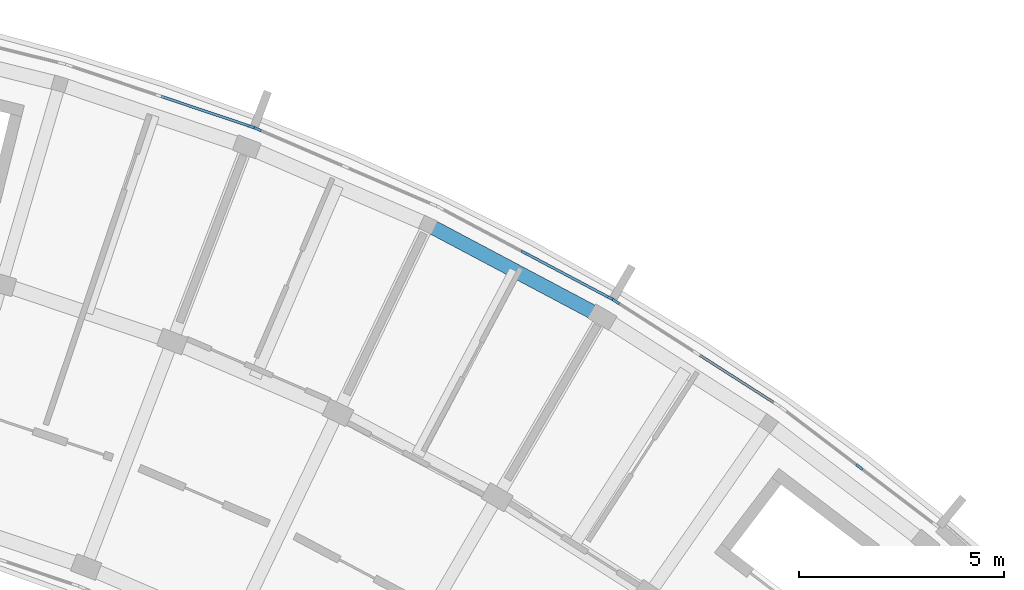
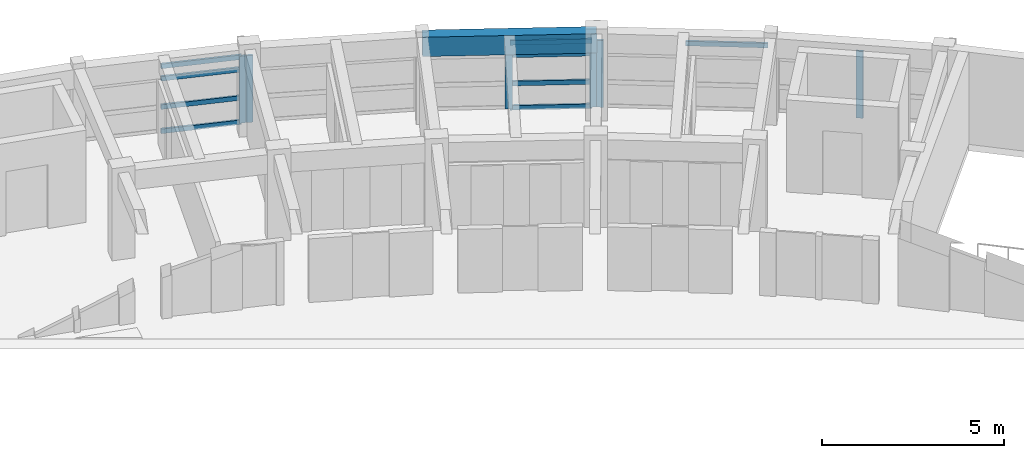
# One storey, part 9 of 23: 15 members, 1 beam, 5 elements without a shape of their own.
"""IFC4 building model written with IfcOpenShell, lengths in metres."""

import ifcopenshell
import ifcopenshell.guid

model = None  # the IFC model being written
_history = None  # IfcOwnerHistory: only IFC2X3 demands one
_inside = {}  # id of a spatial element -> (the spatial element, [elements in it])
_under = {}  # id of a project, library or spatial element -> (it, [spatial elements below it])
_declared = {}  # id of a project -> (the project, [libraries it declares])
_typed = {}  # id of a type object -> (the type object, [elements of that type])
_made_of = {}  # id of a material, layer set ... -> (it, [elements and type objects made of it])


def new_model(schema):
    """Start an empty IFC model of exactly this schema.

    Asked for "IFC4X3", IfcOpenShell would pick the latest addendum, in which some entities
    have other attributes; the version numbers below select the first issue.
    IFC2X3 requires an IfcOwnerHistory on every rooted entity: one is made here for all.
    """
    global model, _history
    if schema == "IFC4X3":
        model = ifcopenshell.file(schema_version=(4, 3, 0, 0))
    else:
        model = ifcopenshell.file(schema=schema)
    _inside.clear()
    _under.clear()
    _declared.clear()
    _typed.clear()
    _made_of.clear()
    _history = None
    if model.schema == "IFC2X3":
        org = make("IfcOrganization", Name="unknown")
        user = make(
            "IfcPersonAndOrganization",
            ThePerson=make("IfcPerson", FamilyName="unknown"),
            TheOrganization=org,
        )
        app = make(
            "IfcApplication",
            ApplicationDeveloper=org,
            Version="unknown",
            ApplicationFullName="unknown",
            ApplicationIdentifier="unknown",
        )
        _history = make(
            "IfcOwnerHistory",
            OwningUser=user,
            OwningApplication=app,
            ChangeAction="ADDED",
            CreationDate=0,
        )
    return model


def make(cls, **values):
    """One entity of the class cls with the attributes given. An attribute that is None is left unset."""
    return model.create_entity(
        cls, **{name: value for name, value in values.items() if value is not None}
    )


def rooted(cls, **values):
    """An entity with a GlobalId (a new one), such as an element, a storey or a relation."""
    return make(cls, GlobalId=ifcopenshell.guid.new(), OwnerHistory=_history, **values)


def si_unit(unit_type, name, prefix=None):
    """IfcSIUnit, for example si_unit("LENGTHUNIT", "METRE", prefix="MILLI")."""
    return make("IfcSIUnit", UnitType=unit_type, Prefix=prefix, Name=name)


def assignment(units):
    """IfcUnitAssignment: the units of a project."""
    return None if units is None else make("IfcUnitAssignment", Units=units)


def point(xyz):
    """IfcCartesianPoint."""
    return None if xyz is None else make("IfcCartesianPoint", Coordinates=xyz)


def direction(xyz):
    """IfcDirection."""
    return None if xyz is None else make("IfcDirection", DirectionRatios=xyz)


def frame(location, z_axis=None, x_axis=None):
    """IfcAxis2Placement3D, a coordinate frame: its origin and axes. An axis left out is left unset."""
    return make(
        "IfcAxis2Placement3D",
        Location=point(location),
        Axis=direction(z_axis),
        RefDirection=direction(x_axis),
    )


def frame_2d(location, x_axis=None):
    """IfcAxis2Placement2D, a coordinate frame in the plane: its origin and x axis."""
    return make(
        "IfcAxis2Placement2D", Location=point(location), RefDirection=direction(x_axis)
    )


def origin():
    """The frame at (0, 0, 0) with its axes left unset."""
    return frame((0.0, 0.0, 0.0))


def origin_2d():
    """The frame at (0, 0) in the plane with its x axis left unset."""
    return frame_2d((0.0, 0.0))


def place(relative_to, where):
    """IfcLocalPlacement: puts the frame where relative to a parent placement (None: the world)."""
    return make(
        "IfcLocalPlacement", PlacementRelTo=relative_to, RelativePlacement=where
    )


def context(
    kind, dimensions, precision=None, world=None, true_north=None, identifier=None
):
    """IfcGeometricRepresentationContext, for example the 3D "Model" context."""
    return make(
        "IfcGeometricRepresentationContext",
        ContextIdentifier=identifier,
        ContextType=kind,
        CoordinateSpaceDimension=dimensions,
        Precision=precision,
        WorldCoordinateSystem=world,
        TrueNorth=true_north,
    )


def subcontext(parent, identifier, kind, view, scale=None):
    """IfcGeometricRepresentationSubContext, for example "Body" below "Model"."""
    return make(
        "IfcGeometricRepresentationSubContext",
        ContextIdentifier=identifier,
        ContextType=kind,
        ParentContext=parent,
        TargetScale=scale,
        TargetView=view,
    )


def project(units=None, contexts=None):
    """IfcProject with its units and contexts."""
    return rooted(
        "IfcProject",
        Name="project",
        RepresentationContexts=contexts,
        UnitsInContext=assignment(units),
    )


def spatial(cls, under=None, at=None, **own):
    """A site, building, storey or space (cls), placed at a placement, below another one or the project."""
    s = rooted(cls, ObjectPlacement=at, **own)
    if under is not None:
        _under.setdefault(under.id(), (under, []))[1].append(s)
    return s


def profile(cls, at=None, kind="AREA", **sizes):
    """A parametric profile (cls). Its sizes go by their IFC names, for example OverallWidth=200.0."""
    return make(cls, ProfileType=kind, Position=at, **sizes)


def rectangle(**sizes):
    """IfcRectangleProfileDef."""
    return profile("IfcRectangleProfileDef", **sizes)


def extrude(swept, where, along, depth):
    """IfcExtrudedAreaSolid: the profile swept, set in the frame where, extruded along a direction by depth."""
    return make(
        "IfcExtrudedAreaSolid",
        SweptArea=swept,
        Position=where,
        ExtrudedDirection=direction(along),
        Depth=depth,
    )


def shape(context_of_items, identifier, shape_type, items):
    """IfcShapeRepresentation: the items that make up one representation, for example the "Body"."""
    return make(
        "IfcShapeRepresentation",
        ContextOfItems=context_of_items,
        RepresentationIdentifier=identifier,
        RepresentationType=shape_type,
        Items=items,
    )


def material(Name=None, Category=None):
    """IfcMaterial."""
    return make("IfcMaterial", Name=Name, Category=Category)


def material_profile(
    of_material, cross_section, Name=None, Category=None, Priority=None
):
    """IfcMaterialProfile: a cross section and its material."""
    return make(
        "IfcMaterialProfile",
        Name=Name,
        Material=of_material,
        Profile=cross_section,
        Priority=Priority,
        Category=Category,
    )


def profile_set(profiles, Name=None, composite=None):
    """IfcMaterialProfileSet."""
    return make(
        "IfcMaterialProfileSet",
        Name=Name,
        MaterialProfiles=profiles,
        CompositeProfile=composite,
    )


def made_of(thing, what):
    """Note that an element or type object is made of a material, layer set ...; save() writes the relation."""
    if what is not None:
        _made_of.setdefault(what.id(), (what, []))[1].append(thing)
    return thing


def type_object(cls, material=None, **own):
    """A type object (cls), such as IfcWallType, which elements share."""
    return made_of(rooted(cls, **own), material)


def element(
    cls,
    number,
    at=None,
    inside=None,
    cuts=None,
    type_object=None,
    material=None,
    context=None,
    identifier="Body",
    shape_type=None,
    held_by="IfcProductDefinitionShape",
    body=None,
    shapes=None,
    **own,
):
    """One element of the class cls, such as IfcWall. Its Tag is "e" and its number.

    at: its placement. inside: the storey or other place that contains it. cuts: it is an
    opening in that element (IfcRelVoidsElement). A single representation is given by context,
    identifier, shape_type and body (its items); several are given by shapes. held_by: the class
    of the entity that holds the representations. save() writes the other relations.
    """
    e = rooted(cls, Tag="e%d" % number, ObjectPlacement=at, **own)
    if body is not None:
        shapes = [shape(context, identifier, shape_type, body)]
    if shapes is not None:
        e.Representation = make(held_by, Representations=shapes)
    if inside is not None:
        _inside.setdefault(inside.id(), (inside, []))[1].append(e)
    if cuts is not None:
        rooted(
            "IfcRelVoidsElement", RelatingBuildingElement=cuts, RelatedOpeningElement=e
        )
    if type_object is not None:
        _typed.setdefault(type_object.id(), (type_object, []))[1].append(e)
    return made_of(e, material)


def aggregate(whole, parts):
    """IfcRelAggregates: a whole, such as a stair, and the parts it consists of."""
    return rooted("IfcRelAggregates", RelatingObject=whole, RelatedObjects=parts)


def save(model, path):
    """Write the relations noted so far, then the file.

    IfcRelAggregates (storeys below a building ...), IfcRelContainedInSpatialStructure (elements
    in a storey), IfcRelDefinesByType, IfcRelAssociatesMaterial and IfcRelDeclares: one each for
    every whole, place, type object, material and project.
    """
    for whole, parts in _under.values():
        aggregate(whole, parts)
    for where, things in _inside.values():
        rooted(
            "IfcRelContainedInSpatialStructure",
            RelatedElements=things,
            RelatingStructure=where,
        )
    for kind, things in _typed.values():
        rooted("IfcRelDefinesByType", RelatedObjects=things, RelatingType=kind)
    for what, things in _made_of.values():
        rooted("IfcRelAssociatesMaterial", RelatedObjects=things, RelatingMaterial=what)
    for by, libraries in _declared.values():
        rooted("IfcRelDeclares", RelatingContext=by, RelatedDefinitions=libraries)
    model.write(path)


model = new_model("IFC4")

# Units and contexts
model_context = context("Model", 3, precision=1e-05, world=origin(), true_north=direction((0.0, 1.0)))
body_context = subcontext(model_context, "Body", "Model", "MODEL_VIEW")
ifc_project = project(units=[si_unit("LENGTHUNIT", "METRE"), si_unit("AREAUNIT", "SQUARE_METRE"), si_unit("VOLUMEUNIT", "CUBIC_METRE"), si_unit("PLANEANGLEUNIT", "RADIAN"), si_unit("MASSUNIT", "GRAM", prefix="KILO")], contexts=[model_context])

# Site, building, storey
site_placement = place(None, origin())
site = spatial("IfcSite", under=ifc_project, at=site_placement, CompositionType="ELEMENT")
building_placement = place(site_placement, origin())
building = spatial("IfcBuilding", under=site, at=building_placement, Name="Zimvara Arc Housing Community", CompositionType="ELEMENT")
storey_placement = place(building_placement, frame((0.0, 0.0, 36.0)))
storey = spatial("IfcBuildingStorey", under=building, at=storey_placement, Name="L11", CompositionType="ELEMENT", Elevation=36.0)

# Beam
ifc_material_1 = material(Name="Concrete C40/50", Category="concrete")
ifc_material_profile_1 = material_profile(ifc_material_1, rectangle(XDim=0.35009765625, YDim=0.64990234375, at=origin_2d()), Name="RC 350x650")
ifc_profile_set_1 = profile_set([ifc_material_profile_1], Name="Concrete C40/50")
beam_type = type_object("IfcBeamType", Name="BM-RC-350x650", PredefinedType="BEAM", material=ifc_profile_set_1)
beam_placement = place(storey_placement, frame((70.441162109375, 97.599853515625, 2.594970703125), z_axis=(0.883445542299, -0.468533855546, 0.0), x_axis=(0.468533855546, 0.883445542299, 0.0)))
element("IfcBeam", 1, at=beam_placement, inside=storey, type_object=beam_type, Name="bm:blkB:L11:chord:r3:b5", PredefinedType="BEAM", context=body_context, shape_type="SweptSolid", body=[
    extrude(rectangle(XDim=0.35009765625, YDim=0.64990234375, at=origin_2d()), origin(), (0.0, 0.0, 1.0), 4.807861328125),
])

# Curtain wall, member
ifc_material_2 = material(Name="Anodised Aluminium AW-6063", Category="aluminium")
curtain_wall_type_1 = type_object("IfcCurtainWallType", Name="CW-SYS-01", PredefinedType="USERDEFINED", material=ifc_material_2)
curtain_wall_1_placement = place(storey_placement, origin())
curtain_wall_1 = element("IfcCurtainWall", 2, at=curtain_wall_1_placement, inside=storey, type_object=curtain_wall_type_1, Name="cw:blkB:L11:out:b3", ObjectType="CURTAIN WALL", PredefinedType="USERDEFINED")
ifc_material_3 = material(Name="Anodised Aluminium AW-6063", Category="aluminium")
ifc_material_profile_2 = material_profile(ifc_material_3, rectangle(XDim=0.06494140625, YDim=0.195068359375, at=origin_2d()), Name="ALU 65x195")
ifc_profile_set_2 = profile_set([ifc_material_profile_2], Name="Anodised Aluminium AW-6063")
member_type_1 = type_object("IfcMemberType", Name="CWM-65x180", PredefinedType="MULLION", material=ifc_profile_set_2)
member_1_placement = place(storey_placement, frame((66.11474609375, 99.9951171875, 0.0), z_axis=(0.0, 0.0, 1.0), x_axis=(0.318628583921, 0.947879647164, 0.0)))
member_1 = element("IfcMember", 3, at=member_1_placement, type_object=member_type_1, Name="CW01 mullion 3", PredefinedType="MULLION", context=body_context, shape_type="SweptSolid", body=[
    extrude(rectangle(XDim=0.06494140625, YDim=0.195068359375, at=origin_2d()), origin(), (0.0, 0.0, 1.0), 2.25),
])

ifc_material_4 = material(Name="Anodised Aluminium AW-6063", Category="aluminium")
curtain_wall_type_2 = type_object("IfcCurtainWallType", Name="CW-SYS-03", PredefinedType="USERDEFINED", material=ifc_material_4)
curtain_wall_2_placement = place(storey_placement, origin())
curtain_wall_2 = element("IfcCurtainWall", 4, at=curtain_wall_2_placement, inside=storey, type_object=curtain_wall_type_2, Name="cw:blkB:L11:out:b4", ObjectType="CURTAIN WALL", PredefinedType="USERDEFINED")
member_2_placement = place(storey_placement, frame((66.287353515625, 99.92919921875, 0.0), z_axis=(0.0, 0.0, 1.0), x_axis=(0.394904211998, 0.918722299363, 0.0)))
member_2 = element("IfcMember", 5, at=member_2_placement, type_object=member_type_1, Name="CW03 mullion 1", PredefinedType="MULLION", context=body_context, shape_type="SweptSolid", body=[
    extrude(rectangle(XDim=0.06494140625, YDim=0.195068359375, at=origin_2d()), origin(), (0.0, 0.0, 1.0), 2.25),
])
aggregate(curtain_wall_2, [member_2])

# Curtain wall, members
ifc_material_5 = material(Name="Anodised Aluminium AW-6063", Category="aluminium")
curtain_wall_type_3 = type_object("IfcCurtainWallType", Name="CW-SYS-05", PredefinedType="USERDEFINED", material=ifc_material_5)
curtain_wall_3_placement = place(storey_placement, origin())
curtain_wall_3 = element("IfcCurtainWall", 6, at=curtain_wall_3_placement, inside=storey, type_object=curtain_wall_type_3, Name="cw:blkB:L11:out:b5", ObjectType="CURTAIN WALL", PredefinedType="USERDEFINED")
member_3_placement = place(storey_placement, frame((72.799072265625, 96.914794921875, 0.0), z_axis=(0.0, 0.0, 1.0), x_axis=(0.468546917761, 0.883438614651, 0.0)))
member_3 = element("IfcMember", 7, at=member_3_placement, type_object=member_type_1, Name="CW05 mullion 2", PredefinedType="MULLION", context=body_context, shape_type="SweptSolid", body=[
    extrude(rectangle(XDim=0.06494140625, YDim=0.195068359375, at=origin_2d()), origin(), (0.0, 0.0, 1.0), 2.25),
])
member_4_placement = place(storey_placement, frame((74.859130859375, 95.822265625, 0.0), z_axis=(0.0, 0.0, 1.0), x_axis=(0.468546917761, 0.883438614651, 0.0)))
member_4 = element("IfcMember", 8, at=member_4_placement, type_object=member_type_1, Name="CW05 mullion 3", PredefinedType="MULLION", context=body_context, shape_type="SweptSolid", body=[
    extrude(rectangle(XDim=0.06494140625, YDim=0.195068359375, at=origin_2d()), origin(), (0.0, 0.0, 1.0), 2.25),
])

# Curtain wall, member
ifc_material_6 = material(Name="Anodised Aluminium AW-6063", Category="aluminium")
curtain_wall_type_4 = type_object("IfcCurtainWallType", Name="CW-SYS-07", PredefinedType="USERDEFINED", material=ifc_material_6)
curtain_wall_4_placement = place(storey_placement, origin())
curtain_wall_4 = element("IfcCurtainWall", 9, at=curtain_wall_4_placement, inside=storey, type_object=curtain_wall_type_4, Name="cw:blkB:L11:out:b6", ObjectType="CURTAIN WALL", PredefinedType="USERDEFINED")
member_5_placement = place(storey_placement, frame((75.018798828125, 95.72900390625, 0.0), z_axis=(0.0, 0.0, 1.0), x_axis=(0.539064617721, 0.842264410931, 0.0)))
member_5 = element("IfcMember", 10, at=member_5_placement, type_object=member_type_1, Name="CW07 mullion 1", PredefinedType="MULLION", context=body_context, shape_type="SweptSolid", body=[
    extrude(rectangle(XDim=0.06494140625, YDim=0.195068359375, at=origin_2d()), origin(), (0.0, 0.0, 1.0), 2.25),
])

curtain_wall_5_placement = place(storey_placement, origin())
curtain_wall_5 = element("IfcCurtainWall", 11, at=curtain_wall_5_placement, inside=storey, type_object=curtain_wall_type_1, Name="cw:blkB:L11:out:b7", ObjectType="CURTAIN WALL", PredefinedType="USERDEFINED")
member_6_placement = place(storey_placement, frame((80.95361328125, 91.69580078125, 0.0), z_axis=(0.0, 0.0, 1.0), x_axis=(0.60598771987, 0.795473999177, 0.0)))
member_6 = element("IfcMember", 12, at=member_6_placement, type_object=member_type_1, Name="CW01 mullion 2", PredefinedType="MULLION", context=body_context, shape_type="SweptSolid", body=[
    extrude(rectangle(XDim=0.06494140625, YDim=0.195068359375, at=origin_2d()), origin(), (0.0, 0.0, 1.0), 2.25),
])
aggregate(curtain_wall_5, [member_6])

# Member
ifc_material_7 = material(Name="Anodised Aluminium AW-6063", Category="aluminium")
ifc_material_profile_3 = material_profile(ifc_material_7, rectangle(XDim=0.06494140625, YDim=0.155029296875, at=origin_2d()), Name="ALU 65x155")
ifc_profile_set_3 = profile_set([ifc_material_profile_3], Name="Anodised Aluminium AW-6063")
member_type_2 = type_object("IfcMemberType", Name="CWT-65x140", PredefinedType="USERDEFINED", material=ifc_profile_set_3)
member_7_placement = place(storey_placement, frame((63.935302734375, 100.727783203125, 0.032470703125), z_axis=(0.947861605379, -0.318682250916, 0.0), x_axis=(0.318682250916, 0.947861605379, 0.0)))
member_7 = element("IfcMember", 13, at=member_7_placement, type_object=member_type_2, Name="CW01 transom 2.1", ObjectType="TRANSOM", PredefinedType="USERDEFINED", context=body_context, shape_type="SweptSolid", body=[
    extrude(rectangle(XDim=0.06494140625, YDim=0.155029296875, at=origin_2d()), origin(), (0.0, 0.0, 1.0), 2.266845703125),
])

member_8_placement = place(storey_placement, frame((63.935302734375, 100.727783203125, 0.85009765625), z_axis=(0.947861605379, -0.318682250916, 0.0), x_axis=(0.318682250916, 0.947861605379, 0.0)))
member_8 = element("IfcMember", 14, at=member_8_placement, type_object=member_type_2, Name="CW01 transom 2.2", ObjectType="TRANSOM", PredefinedType="USERDEFINED", context=body_context, shape_type="SweptSolid", body=[
    extrude(rectangle(XDim=0.06494140625, YDim=0.155029296875, at=origin_2d()), origin(), (0.0, 0.0, 1.0), 2.266845703125),
])

member_9_placement = place(storey_placement, frame((63.935302734375, 100.727783203125, 1.800048828125), z_axis=(0.947861605379, -0.318682250916, 0.0), x_axis=(0.318682250916, 0.947861605379, 0.0)))
member_9 = element("IfcMember", 15, at=member_9_placement, type_object=member_type_2, Name="CW01 transom 2.3", ObjectType="TRANSOM", PredefinedType="USERDEFINED", context=body_context, shape_type="SweptSolid", body=[
    extrude(rectangle(XDim=0.06494140625, YDim=0.155029296875, at=origin_2d()), origin(), (0.0, 0.0, 1.0), 2.266845703125),
])

member_10_placement = place(storey_placement, frame((63.935302734375, 100.727783203125, 2.217529296875), z_axis=(0.947861605379, -0.318682250916, 0.0), x_axis=(0.318682250916, 0.947861605379, 0.0)))
member_10 = element("IfcMember", 16, at=member_10_placement, type_object=member_type_2, Name="CW01 transom 2.4", ObjectType="TRANSOM", PredefinedType="USERDEFINED", context=body_context, shape_type="SweptSolid", body=[
    extrude(rectangle(XDim=0.06494140625, YDim=0.155029296875, at=origin_2d()), origin(), (0.0, 0.0, 1.0), 2.266845703125),
])

aggregate(curtain_wall_1, [member_1, member_7, member_8, member_9, member_10])

member_11_placement = place(storey_placement, frame((72.827880859375, 96.899658203125, 0.032470703125), z_axis=(0.883420900208, -0.468580316568, 0.0), x_axis=(0.468580316568, 0.883420900208, 0.0)))
member_11 = element("IfcMember", 17, at=member_11_placement, type_object=member_type_2, Name="CW05 transom 2.1", ObjectType="TRANSOM", PredefinedType="USERDEFINED", context=body_context, shape_type="SweptSolid", body=[
    extrude(rectangle(XDim=0.06494140625, YDim=0.155029296875, at=origin_2d()), origin(), (0.0, 0.0, 1.0), 2.266845703125),
])

member_12_placement = place(storey_placement, frame((72.827880859375, 96.899658203125, 0.85009765625), z_axis=(0.883420900208, -0.468580316568, 0.0), x_axis=(0.468580316568, 0.883420900208, 0.0)))
member_12 = element("IfcMember", 18, at=member_12_placement, type_object=member_type_2, Name="CW05 transom 2.2", ObjectType="TRANSOM", PredefinedType="USERDEFINED", context=body_context, shape_type="SweptSolid", body=[
    extrude(rectangle(XDim=0.06494140625, YDim=0.155029296875, at=origin_2d()), origin(), (0.0, 0.0, 1.0), 2.266845703125),
])

member_13_placement = place(storey_placement, frame((72.827880859375, 96.899658203125, 1.800048828125), z_axis=(0.883420900208, -0.468580316568, 0.0), x_axis=(0.468580316568, 0.883420900208, 0.0)))
member_13 = element("IfcMember", 19, at=member_13_placement, type_object=member_type_2, Name="CW05 transom 2.3", ObjectType="TRANSOM", PredefinedType="USERDEFINED", context=body_context, shape_type="SweptSolid", body=[
    extrude(rectangle(XDim=0.06494140625, YDim=0.155029296875, at=origin_2d()), origin(), (0.0, 0.0, 1.0), 2.266845703125),
])

member_14_placement = place(storey_placement, frame((72.827880859375, 96.899658203125, 2.217529296875), z_axis=(0.883420900208, -0.468580316568, 0.0), x_axis=(0.468580316568, 0.883420900208, 0.0)))
member_14 = element("IfcMember", 20, at=member_14_placement, type_object=member_type_2, Name="CW05 transom 2.4", ObjectType="TRANSOM", PredefinedType="USERDEFINED", context=body_context, shape_type="SweptSolid", body=[
    extrude(rectangle(XDim=0.06494140625, YDim=0.155029296875, at=origin_2d()), origin(), (0.0, 0.0, 1.0), 2.266845703125),
])

aggregate(curtain_wall_3, [member_3, member_4, member_11, member_12, member_13, member_14])

member_15_placement = place(storey_placement, frame((77.01025390625, 94.454345703125, 2.217529296875), z_axis=(0.842292914806, -0.539020079095, 0.0), x_axis=(0.539020079095, 0.842292914806, 0.0)))
member_15 = element("IfcMember", 21, at=member_15_placement, type_object=member_type_2, Name="CW07 transom 2.4", ObjectType="TRANSOM", PredefinedType="USERDEFINED", context=body_context, shape_type="SweptSolid", body=[
    extrude(rectangle(XDim=0.06494140625, YDim=0.155029296875, at=origin_2d()), origin(), (0.0, 0.0, 1.0), 2.266845703125),
])

aggregate(curtain_wall_4, [member_5, member_15])

save(model, "model.ifc")
